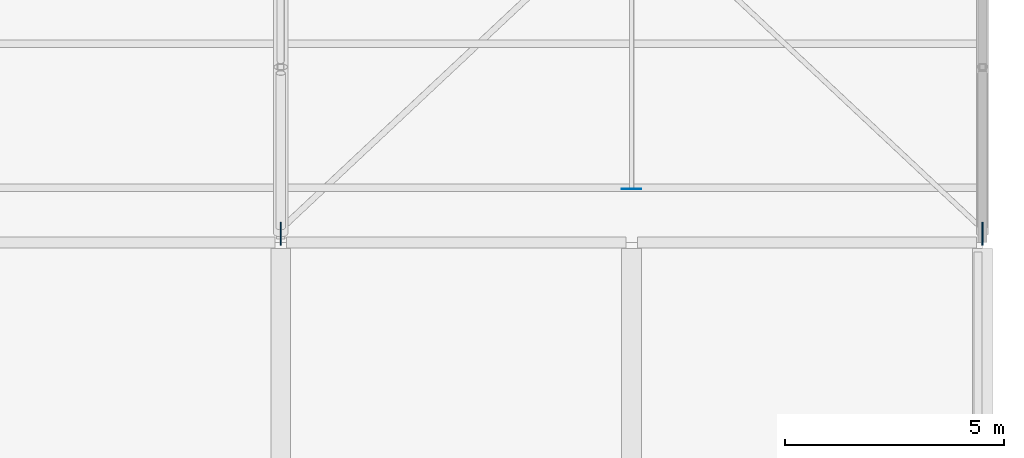
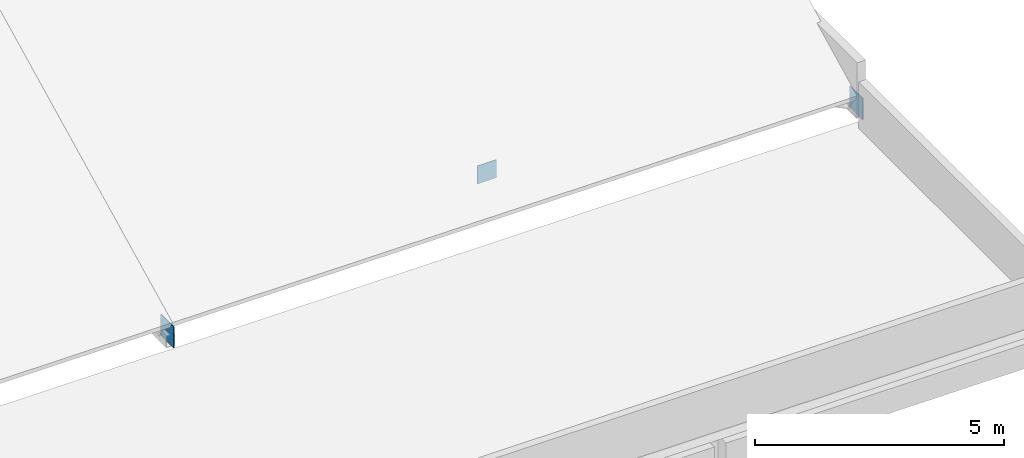
# One storey, part 105 of 137: 3 plates.
"""IFC4 building model written with IfcOpenShell, lengths in metres."""

import ifcopenshell
import ifcopenshell.guid

model = None  # the IFC model being written
_history = None  # IfcOwnerHistory: only IFC2X3 demands one
_inside = {}  # id of a spatial element -> (the spatial element, [elements in it])
_under = {}  # id of a project, library or spatial element -> (it, [spatial elements below it])
_declared = {}  # id of a project -> (the project, [libraries it declares])
_typed = {}  # id of a type object -> (the type object, [elements of that type])
_made_of = {}  # id of a material, layer set ... -> (it, [elements and type objects made of it])


def new_model(schema):
    """Start an empty IFC model of exactly this schema.

    Asked for "IFC4X3", IfcOpenShell would pick the latest addendum, in which some entities
    have other attributes; the version numbers below select the first issue.
    IFC2X3 requires an IfcOwnerHistory on every rooted entity: one is made here for all.
    """
    global model, _history
    if schema == "IFC4X3":
        model = ifcopenshell.file(schema_version=(4, 3, 0, 0))
    else:
        model = ifcopenshell.file(schema=schema)
    _inside.clear()
    _under.clear()
    _declared.clear()
    _typed.clear()
    _made_of.clear()
    _history = None
    if model.schema == "IFC2X3":
        org = make("IfcOrganization", Name="unknown")
        user = make(
            "IfcPersonAndOrganization",
            ThePerson=make("IfcPerson", FamilyName="unknown"),
            TheOrganization=org,
        )
        app = make(
            "IfcApplication",
            ApplicationDeveloper=org,
            Version="unknown",
            ApplicationFullName="unknown",
            ApplicationIdentifier="unknown",
        )
        _history = make(
            "IfcOwnerHistory",
            OwningUser=user,
            OwningApplication=app,
            ChangeAction="ADDED",
            CreationDate=0,
        )
    return model


def make(cls, **values):
    """One entity of the class cls with the attributes given. An attribute that is None is left unset."""
    return model.create_entity(
        cls, **{name: value for name, value in values.items() if value is not None}
    )


def rooted(cls, **values):
    """An entity with a GlobalId (a new one), such as an element, a storey or a relation."""
    return make(cls, GlobalId=ifcopenshell.guid.new(), OwnerHistory=_history, **values)


def si_unit(unit_type, name, prefix=None):
    """IfcSIUnit, for example si_unit("LENGTHUNIT", "METRE", prefix="MILLI")."""
    return make("IfcSIUnit", UnitType=unit_type, Prefix=prefix, Name=name)


def assignment(units):
    """IfcUnitAssignment: the units of a project."""
    return None if units is None else make("IfcUnitAssignment", Units=units)


def point(xyz):
    """IfcCartesianPoint."""
    return None if xyz is None else make("IfcCartesianPoint", Coordinates=xyz)


def direction(xyz):
    """IfcDirection."""
    return None if xyz is None else make("IfcDirection", DirectionRatios=xyz)


def frame(location, z_axis=None, x_axis=None):
    """IfcAxis2Placement3D, a coordinate frame: its origin and axes. An axis left out is left unset."""
    return make(
        "IfcAxis2Placement3D",
        Location=point(location),
        Axis=direction(z_axis),
        RefDirection=direction(x_axis),
    )


def frame_2d(location, x_axis=None):
    """IfcAxis2Placement2D, a coordinate frame in the plane: its origin and x axis."""
    return make(
        "IfcAxis2Placement2D", Location=point(location), RefDirection=direction(x_axis)
    )


def origin():
    """The frame at (0, 0, 0) with its axes left unset."""
    return frame((0.0, 0.0, 0.0))


def origin_2d():
    """The frame at (0, 0) in the plane with its x axis left unset."""
    return frame_2d((0.0, 0.0))


def place(relative_to, where):
    """IfcLocalPlacement: puts the frame where relative to a parent placement (None: the world)."""
    return make(
        "IfcLocalPlacement", PlacementRelTo=relative_to, RelativePlacement=where
    )


def context(
    kind, dimensions, precision=None, world=None, true_north=None, identifier=None
):
    """IfcGeometricRepresentationContext, for example the 3D "Model" context."""
    return make(
        "IfcGeometricRepresentationContext",
        ContextIdentifier=identifier,
        ContextType=kind,
        CoordinateSpaceDimension=dimensions,
        Precision=precision,
        WorldCoordinateSystem=world,
        TrueNorth=true_north,
    )


def subcontext(parent, identifier, kind, view, scale=None):
    """IfcGeometricRepresentationSubContext, for example "Body" below "Model"."""
    return make(
        "IfcGeometricRepresentationSubContext",
        ContextIdentifier=identifier,
        ContextType=kind,
        ParentContext=parent,
        TargetScale=scale,
        TargetView=view,
    )


def project(units=None, contexts=None):
    """IfcProject with its units and contexts."""
    return rooted(
        "IfcProject",
        Name="project",
        RepresentationContexts=contexts,
        UnitsInContext=assignment(units),
    )


def spatial(cls, under=None, at=None, **own):
    """A site, building, storey or space (cls), placed at a placement, below another one or the project."""
    s = rooted(cls, ObjectPlacement=at, **own)
    if under is not None:
        _under.setdefault(under.id(), (under, []))[1].append(s)
    return s


def profile(cls, at=None, kind="AREA", **sizes):
    """A parametric profile (cls). Its sizes go by their IFC names, for example OverallWidth=200.0."""
    return make(cls, ProfileType=kind, Position=at, **sizes)


def rectangle(**sizes):
    """IfcRectangleProfileDef."""
    return profile("IfcRectangleProfileDef", **sizes)


def extrude(swept, where, along, depth):
    """IfcExtrudedAreaSolid: the profile swept, set in the frame where, extruded along a direction by depth."""
    return make(
        "IfcExtrudedAreaSolid",
        SweptArea=swept,
        Position=where,
        ExtrudedDirection=direction(along),
        Depth=depth,
    )


def shape(context_of_items, identifier, shape_type, items):
    """IfcShapeRepresentation: the items that make up one representation, for example the "Body"."""
    return make(
        "IfcShapeRepresentation",
        ContextOfItems=context_of_items,
        RepresentationIdentifier=identifier,
        RepresentationType=shape_type,
        Items=items,
    )


def material(Name=None, Category=None):
    """IfcMaterial."""
    return make("IfcMaterial", Name=Name, Category=Category)


def layer(
    of_material, thickness, ventilated=None, Name=None, Category=None, Priority=None
):
    """IfcMaterialLayer: one layer of a wall or slab, of a material (None: an air gap)."""
    return make(
        "IfcMaterialLayer",
        Material=of_material,
        LayerThickness=thickness,
        IsVentilated=ventilated,
        Name=Name,
        Category=Category,
        Priority=Priority,
    )


def layer_set(layers, Name=None):
    """IfcMaterialLayerSet."""
    return make("IfcMaterialLayerSet", MaterialLayers=layers, LayerSetName=Name)


def made_of(thing, what):
    """Note that an element or type object is made of a material, layer set ...; save() writes the relation."""
    if what is not None:
        _made_of.setdefault(what.id(), (what, []))[1].append(thing)
    return thing


def type_object(cls, material=None, **own):
    """A type object (cls), such as IfcWallType, which elements share."""
    return made_of(rooted(cls, **own), material)


def element(
    cls,
    number,
    at=None,
    inside=None,
    cuts=None,
    type_object=None,
    material=None,
    context=None,
    identifier="Body",
    shape_type=None,
    held_by="IfcProductDefinitionShape",
    body=None,
    shapes=None,
    **own,
):
    """One element of the class cls, such as IfcWall. Its Tag is "e" and its number.

    at: its placement. inside: the storey or other place that contains it. cuts: it is an
    opening in that element (IfcRelVoidsElement). A single representation is given by context,
    identifier, shape_type and body (its items); several are given by shapes. held_by: the class
    of the entity that holds the representations. save() writes the other relations.
    """
    e = rooted(cls, Tag="e%d" % number, ObjectPlacement=at, **own)
    if body is not None:
        shapes = [shape(context, identifier, shape_type, body)]
    if shapes is not None:
        e.Representation = make(held_by, Representations=shapes)
    if inside is not None:
        _inside.setdefault(inside.id(), (inside, []))[1].append(e)
    if cuts is not None:
        rooted(
            "IfcRelVoidsElement", RelatingBuildingElement=cuts, RelatedOpeningElement=e
        )
    if type_object is not None:
        _typed.setdefault(type_object.id(), (type_object, []))[1].append(e)
    return made_of(e, material)


def aggregate(whole, parts):
    """IfcRelAggregates: a whole, such as a stair, and the parts it consists of."""
    return rooted("IfcRelAggregates", RelatingObject=whole, RelatedObjects=parts)


def save(model, path):
    """Write the relations noted so far, then the file.

    IfcRelAggregates (storeys below a building ...), IfcRelContainedInSpatialStructure (elements
    in a storey), IfcRelDefinesByType, IfcRelAssociatesMaterial and IfcRelDeclares: one each for
    every whole, place, type object, material and project.
    """
    for whole, parts in _under.values():
        aggregate(whole, parts)
    for where, things in _inside.values():
        rooted(
            "IfcRelContainedInSpatialStructure",
            RelatedElements=things,
            RelatingStructure=where,
        )
    for kind, things in _typed.values():
        rooted("IfcRelDefinesByType", RelatedObjects=things, RelatingType=kind)
    for what, things in _made_of.values():
        rooted("IfcRelAssociatesMaterial", RelatedObjects=things, RelatingMaterial=what)
    for by, libraries in _declared.values():
        rooted("IfcRelDeclares", RelatingContext=by, RelatedDefinitions=libraries)
    model.write(path)


model = new_model("IFC4")

# Units and contexts
model_context = context("Model", 3, precision=1e-05, world=origin(), true_north=direction((0.0, 1.0)))
body_context = subcontext(model_context, "Body", "Model", "MODEL_VIEW")
ifc_project = project(units=[si_unit("LENGTHUNIT", "METRE"), si_unit("AREAUNIT", "SQUARE_METRE"), si_unit("VOLUMEUNIT", "CUBIC_METRE"), si_unit("PLANEANGLEUNIT", "RADIAN"), si_unit("MASSUNIT", "GRAM", prefix="KILO")], contexts=[model_context])

# Site, building, storey
site_placement = place(None, origin())
site = spatial("IfcSite", under=ifc_project, at=site_placement, CompositionType="ELEMENT")
building_placement = place(site_placement, origin())
building = spatial("IfcBuilding", under=site, at=building_placement, Name="Jelvoka-Kovrelna Polytechnic", CompositionType="ELEMENT")
storey_placement = place(building_placement, frame((0.0, 0.0, 9.60009765625)))
storey = spatial("IfcBuildingStorey", under=building, at=storey_placement, Name="L03", CompositionType="ELEMENT", Elevation=9.60009765625)

# Plates
ifc_material_1 = material(Name="Structural steel S355JR", Category="steel")
ifc_layer_1 = layer(ifc_material_1, 0.02392578125)
ifc_layer_set_1 = layer_set([ifc_layer_1], Name="Structural steel S355JR")
plate_type_1 = type_object("IfcPlateType", Name="Plate_Gusset_GP1", PredefinedType="SHEET", material=ifc_layer_set_1)
for number, where, z_axis, x_axis, name in (
    (1, (184.0, 88.199951171875, 0.056396484375), (0.0, 0.0, 1.0), (0.0, 1.0, 0.0), "Sawtooth truss 7 steel gusset node plate 037"),
    (2, (200.0, 88.199951171875, 0.056396484375), (0.0, 0.0, 1.0), (0.0, 1.0, 0.0), "Sawtooth truss 8 steel gusset node plate 043"),
):
    element("IfcPlate", number, at=place(storey_placement, frame(where, z_axis=z_axis, x_axis=x_axis)), inside=storey, type_object=plate_type_1, Name=name, PredefinedType="SHEET", context=body_context, shape_type="SweptSolid", body=[
        extrude(rectangle(XDim=0.52001953125, YDim=0.02392578125, at=origin_2d()), origin(), (0.0, 0.0, 1.0), 0.52001953125),
    ])
ifc_material_2 = material(Name="Structural steel S355JR", Category="steel")
ifc_layer_2 = layer(ifc_material_2, 0.02001953125)
ifc_layer_set_2 = layer_set([ifc_layer_2], Name="Structural steel S355JR")
plate_type_2 = type_object("IfcPlateType", Name="Plate_Gusset_GP3", PredefinedType="SHEET", material=ifc_layer_set_2)
plate_placement = place(storey_placement, frame((192.0, 89.218017578125, 0.58642578125), z_axis=(0.0, 0.0, 1.0), x_axis=(1.0, 0.0, 0.0)))
element("IfcPlate", 3, at=plate_placement, inside=storey, type_object=plate_type_2, Name="Sawtooth rafter 7.1 bot steel end cap plate 079", PredefinedType="SHEET", context=body_context, shape_type="SweptSolid", body=[
    extrude(rectangle(XDim=0.43994140625, YDim=0.02001953125, at=origin_2d()), origin(), (0.0, 0.0, 1.0), 0.43994140625),
])

save(model, "model.ifc")
